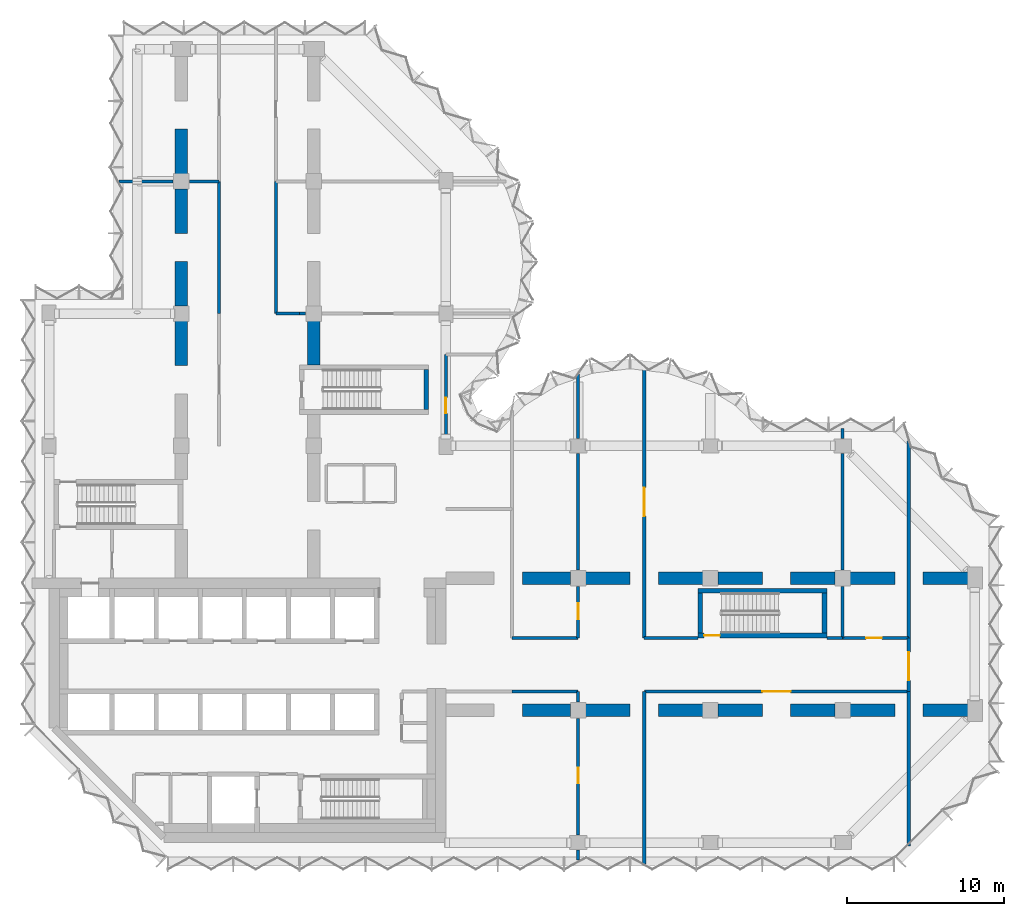
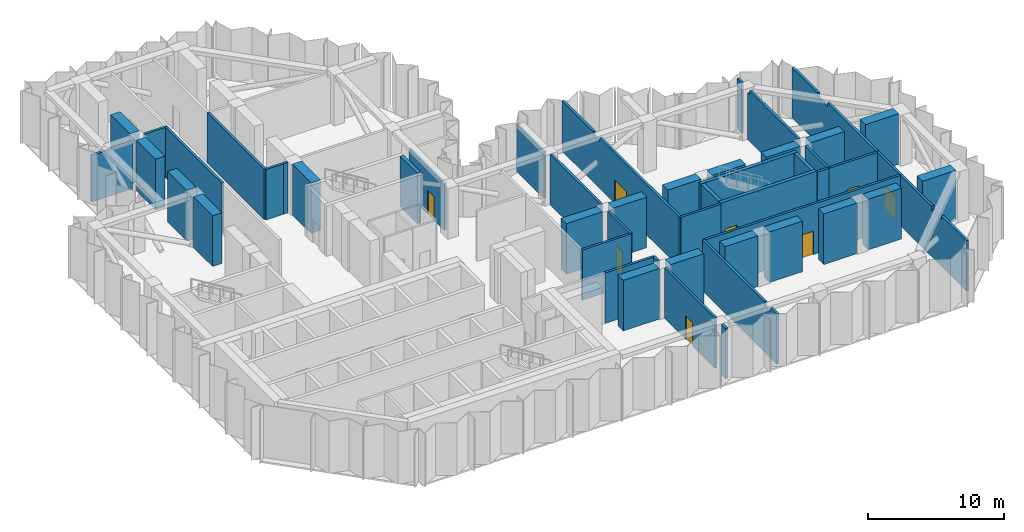
# One storey, part 6 of 13: 51 walls, 8 doors, 8 openings.
"""IFC4 building model written with IfcOpenShell, lengths in metres."""

from ifc_helpers import new_model, si_unit, direction, frame, frame_2d, origin, place, context, subcontext, project, spatial, polyline, rectangle, outline, extrude, material, layer, layer_set, type_object, element, fill, save


model = new_model("IFC4")

# Units and contexts
model_context = context("Model", 3, precision=1e-05, world=origin(), true_north=direction((0.0, 1.0)))
body_context = subcontext(model_context, "Body", "Model", "MODEL_VIEW")
ifc_project = project(units=[si_unit("LENGTHUNIT", "METRE"), si_unit("AREAUNIT", "SQUARE_METRE"), si_unit("VOLUMEUNIT", "CUBIC_METRE"), si_unit("PLANEANGLEUNIT", "RADIAN"), si_unit("MASSUNIT", "GRAM", prefix="KILO")], contexts=[model_context])

# Site, building, storey
site_placement = place(None, origin())
site = spatial("IfcSite", under=ifc_project, at=site_placement, CompositionType="ELEMENT")
building_placement = place(site_placement, origin())
building = spatial("IfcBuilding", under=site, at=building_placement, Name="Brevane Broadcast Tower", CompositionType="ELEMENT")
storey_placement = place(building_placement, frame((0.0, 0.0, 162.0)))
storey = spatial("IfcBuildingStorey", under=building, at=storey_placement, Name="L40", CompositionType="ELEMENT", Elevation=162.0)

# Wall
ifc_material_1 = material(Name="Concrete C60/75", Category="concrete")
ifc_layer_1 = layer(ifc_material_1, 0.300048828125)
ifc_layer_set_1 = layer_set([ifc_layer_1], Name="Core wall 300 mm C60/75")
wall_type_1 = type_object("IfcWallType", Name="Core wall 300 mm C60/75", PredefinedType="SHEAR", material=ifc_layer_set_1)
wall_1_placement = place(storey_placement, frame((23.949951171875, 27.5, 0.0), z_axis=(0.0, 0.0, 1.0), x_axis=(0.0, 1.0, 0.0)))
element("IfcWall", 1, at=wall_1_placement, inside=storey, type_object=wall_type_1, Name="L40 stair wall ST-3-E", PredefinedType="SHEAR", context=body_context, shape_type="SweptSolid", body=[
    extrude(rectangle(XDim=2.550048828125, YDim=0.300048828125, at=frame_2d((1.27490234375, 0.0))), origin(), (0.0, 0.0, 1.0), 4.550048828125),
])

# Wall, opening, door
wall_2_placement = place(storey_placement, frame((49.39990234375, 13.14990234375, 0.0), z_axis=(0.0, 0.0, 1.0), x_axis=(-1.0, 0.0, 0.0)))
wall_2 = element("IfcWall", 2, at=wall_2_placement, inside=storey, type_object=wall_type_1, Name="L40 stair wall ST-4-S", PredefinedType="SHEAR", context=body_context, shape_type="SweptSolid", body=[
    extrude(rectangle(XDim=8.199951171875, YDim=0.300048828125, at=frame_2d((4.10009765625, 0.0))), origin(), (0.0, 0.0, 1.0), 4.550048828125),
])
opening_1_placement = place(wall_2_placement, frame((6.800048828125, 0.0, 0.0)))
opening_1 = element("IfcOpeningElement", 3, at=opening_1_placement, cuts=wall_2, Name="Opening L40-K13", PredefinedType="OPENING", context=body_context, shape_type="SweptSolid", body=[
    extrude(rectangle(XDim=1.0, YDim=2.10009765625, at=frame_2d((0.5, 1.050048828125))), frame((0.0, 0.159912109375, 0.0), z_axis=(0.0, -1.0, 0.0), x_axis=(1.0, 0.0, 0.0)), (0.0, 0.0, 1.0), 0.320068359375),
])
ifc_material_2 = material(Name="Steel", Category="steel")
door_type_1 = type_object("IfcDoorType", Name="Stair door 1000 x 2100", OperationType="SINGLE_SWING_LEFT", PredefinedType="DOOR", material=ifc_material_2)
door_1_placement = place(opening_1_placement, origin())
door_1 = element("IfcDoor", 4, at=door_1_placement, inside=storey, type_object=door_type_1, Name="Door L40-K13", OperationType="SINGLE_SWING_LEFT", OverallHeight=2.10009765625, OverallWidth=1.0, PredefinedType="DOOR", context=body_context, shape_type="SweptSolid", body=[
    extrude(rectangle(XDim=1.0, YDim=2.10009765625, at=frame_2d((0.5, 1.050048828125))), frame((0.0, 0.02490234375, 0.0), z_axis=(0.0, -1.0, 0.0), x_axis=(1.0, 0.0, 0.0)), (0.0, 0.0, 1.0), 0.050048828125),
])
fill(opening_1, door_1)

# Walls
wall_3_placement = place(storey_placement, frame((41.199951171875, 16.0, 0.0), z_axis=(0.0, 0.0, 1.0), x_axis=(1.0, 0.0, 0.0)))
element("IfcWall", 5, at=wall_3_placement, inside=storey, type_object=wall_type_1, Name="L40 stair wall ST-4-N", PredefinedType="SHEAR", context=body_context, shape_type="SweptSolid", body=[
    extrude(rectangle(XDim=8.199951171875, YDim=0.300048828125, at=frame_2d((4.10009765625, 0.0))), origin(), (0.0, 0.0, 1.0), 4.550048828125),
])
for number, where, z_axis, x_axis, name in (
    (6, (41.35009765625, 13.300048828125, 0.0), (0.0, 0.0, 1.0), (0.0, 1.0, 0.0), "L40 stair wall ST-4-W"),
    (7, (49.25, 13.300048828125, 0.0), (0.0, 0.0, 1.0), (0.0, 1.0, 0.0), "L40 stair wall ST-4-E"),
):
    element("IfcWall", number, at=place(storey_placement, frame(where, z_axis=z_axis, x_axis=x_axis)), inside=storey, type_object=wall_type_1, Name=name, PredefinedType="SHEAR", context=body_context, shape_type="SweptSolid", body=[
        extrude(rectangle(XDim=2.550048828125, YDim=0.300048828125, at=frame_2d((1.27490234375, 0.0))), origin(), (0.0, 0.0, 1.0), 4.550048828125),
    ])

# Wall, opening, door
ifc_material_3 = material(Name="Gypsum board partition")
ifc_layer_2 = layer(ifc_material_3, 0.199951171875)
ifc_layer_set_2 = layer_set([ifc_layer_2], Name="PARTITION 200 EI 120")
wall_type_2 = type_object("IfcWallType", Name="PARTITION 200 EI 120", PredefinedType="PARTITIONING", material=ifc_layer_set_2)
wall_4_placement = place(storey_placement, frame((25.199951171875, 31.0, 0.0), z_axis=(0.0, 0.0, 1.0), x_axis=(0.0, -1.0, 0.0)))
wall_4 = element("IfcWall", 8, at=wall_4_placement, inside=storey, type_object=wall_type_2, Name="Partition R2-005", PredefinedType="PARTITIONING", context=body_context, shape_type="SweptSolid", body=[
    extrude(outline(polyline([(0.0, 0.0), (5.22998046875, 0.0), (5.22998046875, 4.179931640625), (0.0, 4.179931640625), (0.0, 0.0)])), frame((0.0, 0.10009765625, 0.0), z_axis=(0.0, -1.0, 0.0), x_axis=(1.0, 0.0, 0.0)), (0.0, 0.0, 1.0), 0.199951171875),
])
opening_2_placement = place(wall_4_placement, frame((2.72998046875, 0.0, 0.0)))
opening_2 = element("IfcOpeningElement", 9, at=opening_2_placement, cuts=wall_4, Name="Opening D20-001", PredefinedType="OPENING", context=body_context, shape_type="SweptSolid", body=[
    extrude(rectangle(XDim=1.0, YDim=2.10009765625, at=frame_2d((0.5, 1.050048828125))), frame((0.0, 0.10986328125, 0.0), z_axis=(0.0, -1.0, 0.0), x_axis=(1.0, 0.0, 0.0)), (0.0, 0.0, 1.0), 0.219970703125),
])
ifc_material_4 = material(Name="Fire-rated timber door leaf", Category="wood")
door_type_2 = type_object("IfcDoorType", Name="DOOR SINGLE 1000 FD60", OperationType="SINGLE_SWING_LEFT", PredefinedType="DOOR", material=ifc_material_4)
door_2_placement = place(opening_2_placement, origin())
door_2 = element("IfcDoor", 10, at=door_2_placement, inside=storey, type_object=door_type_2, Name="Door D20-001", OperationType="SINGLE_SWING_RIGHT", OverallHeight=2.10009765625, OverallWidth=1.0, PredefinedType="DOOR", context=body_context, shape_type="SweptSolid", body=[
    extrude(rectangle(XDim=1.0, YDim=2.10009765625, at=frame_2d((0.5, 1.050048828125))), frame((0.0, 0.02490234375, 0.0), z_axis=(0.0, -1.0, 0.0), x_axis=(1.0, 0.0, 0.0)), (0.0, 0.0, 1.0), 0.050048828125),
])
fill(opening_2, door_2)

wall_5_placement = place(storey_placement, frame((54.60009765625, 13.0, 0.0), z_axis=(0.0, 0.0, 1.0), x_axis=(0.0, -1.0, 0.0)))
wall_5 = element("IfcWall", 11, at=wall_5_placement, inside=storey, type_object=wall_type_2, Name="Partition R2-007", PredefinedType="PARTITIONING", context=body_context, shape_type="SweptSolid", body=[
    extrude(rectangle(XDim=3.39990234375, YDim=0.199951171875, at=frame_2d((1.699951171875, 0.0))), origin(), (0.0, 0.0, 1.0), 4.530029296875),
])
opening_3_placement = place(wall_5_placement, frame((0.89990234375, 0.0, 0.0)))
opening_3 = element("IfcOpeningElement", 12, at=opening_3_placement, cuts=wall_5, Name="Opening D20-002", PredefinedType="OPENING", context=body_context, shape_type="SweptSolid", body=[
    extrude(rectangle(XDim=1.800048828125, YDim=2.10009765625, at=frame_2d((0.89990234375, 1.050048828125))), frame((0.0, 0.10986328125, 0.0), z_axis=(0.0, -1.0, 0.0), x_axis=(1.0, 0.0, 0.0)), (0.0, 0.0, 1.0), 0.219970703125),
])
door_type_3 = type_object("IfcDoorType", Name="DOOR DOUBLE 1800 FD60", OperationType="DOUBLE_DOOR_SINGLE_SWING", PredefinedType="DOOR", material=ifc_material_4)
door_3_placement = place(opening_3_placement, origin())
door_3 = element("IfcDoor", 13, at=door_3_placement, inside=storey, type_object=door_type_3, Name="Door D20-002", OperationType="DOUBLE_DOOR_SINGLE_SWING", OverallHeight=2.10009765625, OverallWidth=1.800048828125, PredefinedType="DOOR", context=body_context, shape_type="SweptSolid", body=[
    extrude(rectangle(XDim=1.800048828125, YDim=2.10009765625, at=frame_2d((0.89990234375, 1.050048828125))), frame((0.0, 0.02490234375, 0.0), z_axis=(0.0, -1.0, 0.0), x_axis=(1.0, 0.0, 0.0)), (0.0, 0.0, 1.0), 0.050048828125),
])
fill(opening_3, door_3)

# Wall
wall_6_placement = place(storey_placement, frame((33.60009765625, 9.60009765625, 0.0), z_axis=(0.0, 0.0, 1.0), x_axis=(-1.0, 0.0, 0.0)))
element("IfcWall", 14, at=wall_6_placement, inside=storey, type_object=wall_type_2, Name="Partition R2-008", PredefinedType="PARTITIONING", context=body_context, shape_type="SweptSolid", body=[
    extrude(rectangle(XDim=4.2001953125, YDim=0.199951171875, at=frame_2d((2.10009765625, 0.0))), origin(), (0.0, 0.0, 1.0), 4.530029296875),
])

# Wall, opening, door
wall_7_placement = place(storey_placement, frame((54.60009765625, 9.60009765625, 0.0), z_axis=(0.0, 0.0, 1.0), x_axis=(-1.0, 0.0, 0.0)))
wall_7 = element("IfcWall", 15, at=wall_7_placement, inside=storey, type_object=wall_type_2, Name="Partition R2-009", PredefinedType="PARTITIONING", context=body_context, shape_type="SweptSolid", body=[
    extrude(rectangle(XDim=16.800048828125, YDim=0.199951171875, at=frame_2d((8.39990234375, 0.0))), origin(), (0.0, 0.0, 1.0), 4.530029296875),
])
opening_4_placement = place(wall_7_placement, frame((7.5, 0.0, 0.0)))
opening_4 = element("IfcOpeningElement", 16, at=opening_4_placement, cuts=wall_7, Name="Opening D20-004", PredefinedType="OPENING", context=body_context, shape_type="SweptSolid", body=[
    extrude(rectangle(XDim=1.800048828125, YDim=2.10009765625, at=frame_2d((0.89990234375, 1.050048828125))), frame((0.0, 0.10986328125, 0.0), z_axis=(0.0, -1.0, 0.0), x_axis=(1.0, 0.0, 0.0)), (0.0, 0.0, 1.0), 0.219970703125),
])
door_4_placement = place(opening_4_placement, origin())
door_4 = element("IfcDoor", 17, at=door_4_placement, inside=storey, type_object=door_type_3, Name="Door D20-004", OperationType="DOUBLE_DOOR_SINGLE_SWING", OverallHeight=2.10009765625, OverallWidth=1.800048828125, PredefinedType="DOOR", context=body_context, shape_type="SweptSolid", body=[
    extrude(rectangle(XDim=1.800048828125, YDim=2.10009765625, at=frame_2d((0.89990234375, 1.050048828125))), frame((0.0, 0.02490234375, 0.0), z_axis=(0.0, -1.0, 0.0), x_axis=(1.0, 0.0, 0.0)), (0.0, 0.0, 1.0), 0.050048828125),
])
fill(opening_4, door_4)

# Walls
wall_8_placement = place(storey_placement, frame((29.39990234375, 13.0, 0.0), z_axis=(0.0, 0.0, 1.0), x_axis=(1.0, 0.0, 0.0)))
element("IfcWall", 18, at=wall_8_placement, inside=storey, type_object=wall_type_2, Name="Partition R2-010", PredefinedType="PARTITIONING", context=body_context, shape_type="SweptSolid", body=[
    extrude(rectangle(XDim=4.2001953125, YDim=0.199951171875, at=frame_2d((2.10009765625, 0.0))), origin(), (0.0, 0.0, 1.0), 4.530029296875),
])
wall_9_placement = place(storey_placement, frame((37.800048828125, 13.0, 0.0), z_axis=(0.0, 0.0, 1.0), x_axis=(1.0, 0.0, 0.0)))
element("IfcWall", 19, at=wall_9_placement, inside=storey, type_object=wall_type_2, Name="Partition R2-011", PredefinedType="PARTITIONING", context=body_context, shape_type="SweptSolid", body=[
    extrude(rectangle(XDim=3.39990234375, YDim=0.199951171875, at=frame_2d((1.699951171875, 0.0))), origin(), (0.0, 0.0, 1.0), 4.530029296875),
])
wall_10_placement = place(storey_placement, frame((49.39990234375, 13.0, 0.0), z_axis=(0.0, 0.0, 1.0), x_axis=(1.0, 0.0, 0.0)))
element("IfcWall", 20, at=wall_10_placement, inside=storey, type_object=wall_type_2, Name="Partition R2-012", PredefinedType="PARTITIONING", context=body_context, shape_type="SweptSolid", body=[
    extrude(rectangle(XDim=1.0, YDim=0.199951171875, at=frame_2d((0.5, 0.0))), origin(), (0.0, 0.0, 1.0), 4.530029296875),
])

# Wall, opening, door
wall_11_placement = place(storey_placement, frame((50.39990234375, 13.0, 0.0), z_axis=(0.0, 0.0, 1.0), x_axis=(1.0, 0.0, 0.0)))
wall_11 = element("IfcWall", 21, at=wall_11_placement, inside=storey, type_object=wall_type_2, Name="Partition R2-013", PredefinedType="PARTITIONING", context=body_context, shape_type="SweptSolid", body=[
    extrude(rectangle(XDim=4.2001953125, YDim=0.199951171875, at=frame_2d((2.10009765625, 0.0))), origin(), (0.0, 0.0, 1.0), 4.530029296875),
])
opening_5_placement = place(wall_11_placement, frame((1.5, 0.0, 0.0)))
opening_5 = element("IfcOpeningElement", 22, at=opening_5_placement, cuts=wall_11, Name="Opening D20-007", PredefinedType="OPENING", context=body_context, shape_type="SweptSolid", body=[
    extrude(rectangle(XDim=1.0, YDim=2.10009765625, at=frame_2d((0.5, 1.050048828125))), frame((0.0, 0.10986328125, 0.0), z_axis=(0.0, -1.0, 0.0), x_axis=(1.0, 0.0, 0.0)), (0.0, 0.0, 1.0), 0.219970703125),
])
door_5_placement = place(opening_5_placement, origin())
door_5 = element("IfcDoor", 23, at=door_5_placement, inside=storey, type_object=door_type_2, Name="Door D20-007", OperationType="SINGLE_SWING_LEFT", OverallHeight=2.10009765625, OverallWidth=1.0, PredefinedType="DOOR", context=body_context, shape_type="SweptSolid", body=[
    extrude(rectangle(XDim=1.0, YDim=2.10009765625, at=frame_2d((0.5, 1.050048828125))), frame((0.0, 0.02490234375, 0.0), z_axis=(0.0, -1.0, 0.0), x_axis=(1.0, 0.0, 0.0)), (0.0, 0.0, 1.0), 0.050048828125),
])
fill(opening_5, door_5)

# Walls
wall_12_placement = place(storey_placement, frame((54.60009765625, -0.199951171875, 0.0), z_axis=(0.0, 0.0, 1.0), x_axis=(0.0, 1.0, 0.0)))
element("IfcWall", 24, at=wall_12_placement, inside=storey, type_object=wall_type_2, Name="Partition R2-014", PredefinedType="PARTITIONING", context=body_context, shape_type="SweptSolid", body=[
    extrude(outline(polyline([(0.0, 0.0), (9.800048828125, 0.0), (9.800048828125, 4.530029296875), (5.11572265625, 4.530029296875), (5.11376953125, 4.179931640625), (3.686279296875, 4.179931640625), (3.684326171875, 4.530029296875), (0.0, 4.530029296875), (0.0, 0.0)])), frame((0.0, 0.10009765625, 0.0), z_axis=(0.0, -1.0, 0.0), x_axis=(1.0, 0.0, 0.0)), (0.0, 0.0, 1.0), 0.199951171875),
])
wall_13_placement = place(storey_placement, frame((54.60009765625, 13.0, 0.0), z_axis=(0.0, 0.0, 1.0), x_axis=(0.0, 1.0, 0.0)))
element("IfcWall", 25, at=wall_13_placement, inside=storey, type_object=wall_type_2, Name="Partition R2-015", PredefinedType="PARTITIONING", context=body_context, shape_type="SweptSolid", body=[
    extrude(outline(polyline([(0.0, 0.0), (12.506591796875, 0.0), (12.506591796875, 4.530029296875), (12.39990234375, 4.530029296875), (8.715576171875, 4.530029296875), (8.713623046875, 4.179931640625), (7.286376953125, 4.179931640625), (7.284423828125, 4.530029296875), (0.0, 4.530029296875), (0.0, 0.0)])), frame((0.0, 0.10009765625, 0.0), z_axis=(0.0, -1.0, 0.0), x_axis=(1.0, 0.0, 0.0)), (0.0, 0.0, 1.0), 0.199951171875),
])
wall_14_placement = place(storey_placement, frame((33.60009765625, -1.10009765625, 0.0), z_axis=(0.0, 0.0, 1.0), x_axis=(0.0, 1.0, 0.0)))
element("IfcWall", 26, at=wall_14_placement, inside=storey, type_object=wall_type_2, Name="Partition R2-016", PredefinedType="PARTITIONING", context=body_context, shape_type="SweptSolid", body=[
    extrude(rectangle(XDim=0.630126953125, YDim=0.199951171875, at=frame_2d((0.31494140625, 0.0))), origin(), (0.0, 0.0, 1.0), 4.530029296875),
])

# Wall, opening, door
wall_15_placement = place(storey_placement, frame((33.60009765625, 0.469970703125, 0.0), z_axis=(0.0, 0.0, 1.0), x_axis=(0.0, 1.0, 0.0)))
wall_15 = element("IfcWall", 27, at=wall_15_placement, inside=storey, type_object=wall_type_2, Name="Partition R2-017", PredefinedType="PARTITIONING", context=body_context, shape_type="SweptSolid", body=[
    extrude(rectangle(XDim=7.409912109375, YDim=0.199951171875, at=frame_2d((3.705078125, 0.0))), origin(), (0.0, 0.0, 1.0), 4.530029296875),
])
opening_6_placement = place(wall_15_placement, frame((3.300048828125, 0.0, 0.0)))
opening_6 = element("IfcOpeningElement", 28, at=opening_6_placement, cuts=wall_15, Name="Opening D20-003", PredefinedType="OPENING", context=body_context, shape_type="SweptSolid", body=[
    extrude(rectangle(XDim=1.0, YDim=2.10009765625, at=frame_2d((0.5, 1.050048828125))), frame((0.0, 0.10986328125, 0.0), z_axis=(0.0, -1.0, 0.0), x_axis=(1.0, 0.0, 0.0)), (0.0, 0.0, 1.0), 0.219970703125),
])
door_6_placement = place(opening_6_placement, origin())
door_6 = element("IfcDoor", 29, at=door_6_placement, inside=storey, type_object=door_type_2, Name="Door D20-003", OperationType="SINGLE_SWING_LEFT", OverallHeight=2.10009765625, OverallWidth=1.0, PredefinedType="DOOR", context=body_context, shape_type="SweptSolid", body=[
    extrude(rectangle(XDim=1.0, YDim=2.10009765625, at=frame_2d((0.5, 1.050048828125))), frame((0.0, 0.02490234375, 0.0), z_axis=(0.0, -1.0, 0.0), x_axis=(1.0, 0.0, 0.0)), (0.0, 0.0, 1.0), 0.050048828125),
])
fill(opening_6, door_6)

# Walls
wall_16_placement = place(storey_placement, frame((33.60009765625, 8.919921875, 0.0), z_axis=(0.0, 0.0, 1.0), x_axis=(0.0, 1.0, 0.0)))
element("IfcWall", 30, at=wall_16_placement, inside=storey, type_object=wall_type_2, Name="Partition R2-018", PredefinedType="PARTITIONING", context=body_context, shape_type="SweptSolid", body=[
    extrude(rectangle(XDim=0.68017578125, YDim=0.199951171875, at=frame_2d((0.340087890625, 0.0))), origin(), (0.0, 0.0, 1.0), 4.530029296875),
])
wall_17_placement = place(storey_placement, frame((37.800048828125, 9.60009765625, 0.0), z_axis=(0.0, 0.0, 1.0), x_axis=(0.0, -1.0, 0.0)))
element("IfcWall", 31, at=wall_17_placement, inside=storey, type_object=wall_type_2, Name="Partition R2-019", PredefinedType="PARTITIONING", context=body_context, shape_type="SweptSolid", body=[
    extrude(outline(polyline([(0.0, 0.0), (10.96337890625, 0.0), (10.96337890625, 4.530029296875), (10.699951171875, 4.530029296875), (10.050048828125, 4.530029296875), (10.048095703125, 4.179931640625), (9.152099609375, 4.179931640625), (9.14990234375, 4.530029296875), (0.0, 4.530029296875), (0.0, 0.0)])), frame((0.0, 0.10009765625, 0.0), z_axis=(0.0, -1.0, 0.0), x_axis=(1.0, 0.0, 0.0)), (0.0, 0.0, 1.0), 0.199951171875),
])

# Wall, opening, door
wall_18_placement = place(storey_placement, frame((33.60009765625, 13.0, 0.0), z_axis=(0.0, 0.0, 1.0), x_axis=(0.0, 1.0, 0.0)))
wall_18 = element("IfcWall", 32, at=wall_18_placement, inside=storey, type_object=wall_type_2, Name="Partition R2-020", PredefinedType="PARTITIONING", context=body_context, shape_type="SweptSolid", body=[
    extrude(rectangle(XDim=3.280029296875, YDim=0.199951171875, at=frame_2d((1.64013671875, 0.0))), origin(), (0.0, 0.0, 1.0), 4.530029296875),
])
opening_7_placement = place(wall_18_placement, frame((1.199951171875, 0.0, 0.0)))
opening_7 = element("IfcOpeningElement", 33, at=opening_7_placement, cuts=wall_18, Name="Opening D20-005", PredefinedType="OPENING", context=body_context, shape_type="SweptSolid", body=[
    extrude(rectangle(XDim=1.0, YDim=2.10009765625, at=frame_2d((0.5, 1.050048828125))), frame((0.0, 0.10986328125, 0.0), z_axis=(0.0, -1.0, 0.0), x_axis=(1.0, 0.0, 0.0)), (0.0, 0.0, 1.0), 0.219970703125),
])
door_7_placement = place(opening_7_placement, origin())
door_7 = element("IfcDoor", 34, at=door_7_placement, inside=storey, type_object=door_type_2, Name="Door D20-005", OperationType="SINGLE_SWING_LEFT", OverallHeight=2.10009765625, OverallWidth=1.0, PredefinedType="DOOR", context=body_context, shape_type="SweptSolid", body=[
    extrude(rectangle(XDim=1.0, YDim=2.10009765625, at=frame_2d((0.5, 1.050048828125))), frame((0.0, 0.02490234375, 0.0), z_axis=(0.0, -1.0, 0.0), x_axis=(1.0, 0.0, 0.0)), (0.0, 0.0, 1.0), 0.050048828125),
])
fill(opening_7, door_7)

# Walls
wall_19_placement = place(storey_placement, frame((33.60009765625, 17.320068359375, 0.0), z_axis=(0.0, 0.0, 1.0), x_axis=(0.0, 1.0, 0.0)))
element("IfcWall", 35, at=wall_19_placement, inside=storey, type_object=wall_type_2, Name="Partition R2-021", PredefinedType="PARTITIONING", context=body_context, shape_type="SweptSolid", body=[
    extrude(rectangle(XDim=7.409912109375, YDim=0.199951171875, at=frame_2d((3.705078125, 0.0))), origin(), (0.0, 0.0, 1.0), 4.530029296875),
])
wall_20_placement = place(storey_placement, frame((33.60009765625, 25.669921875, 0.0), z_axis=(0.0, 0.0, 1.0), x_axis=(0.0, 1.0, 0.0)))
element("IfcWall", 36, at=wall_20_placement, inside=storey, type_object=wall_type_2, Name="Partition R2-022", PredefinedType="PARTITIONING", context=body_context, shape_type="SweptSolid", body=[
    extrude(rectangle(XDim=4.092041015625, YDim=0.199951171875, at=frame_2d((2.0458984375, 0.0))), origin(), (0.0, 0.0, 1.0), 4.179931640625),
])

# Wall, opening, door
wall_21_placement = place(storey_placement, frame((37.800048828125, 30.24267578125, 0.0), z_axis=(0.0, 0.0, 1.0), x_axis=(0.0, -1.0, 0.0)))
wall_21 = element("IfcWall", 37, at=wall_21_placement, inside=storey, type_object=wall_type_2, Name="Partition R2-023", PredefinedType="PARTITIONING", context=body_context, shape_type="SweptSolid", body=[
    extrude(outline(polyline([(0.0, 0.0), (17.24267578125, 0.0), (17.24267578125, 4.530029296875), (5.49267578125, 4.530029296875), (5.49072265625, 4.179931640625), (4.5947265625, 4.179931640625), (4.5927734375, 4.530029296875), (0.0, 4.530029296875), (0.0, 0.0)])), frame((0.0, 0.10009765625, 0.0), z_axis=(0.0, -1.0, 0.0), x_axis=(1.0, 0.0, 0.0)), (0.0, 0.0, 1.0), 0.199951171875),
])
opening_8_placement = place(wall_21_placement, frame((7.699951171875, 0.0, 0.0)))
opening_8 = element("IfcOpeningElement", 38, at=opening_8_placement, cuts=wall_21, Name="Opening D20-006", PredefinedType="OPENING", context=body_context, shape_type="SweptSolid", body=[
    extrude(rectangle(XDim=1.800048828125, YDim=2.10009765625, at=frame_2d((0.89990234375, 1.050048828125))), frame((0.0, 0.10986328125, 0.0), z_axis=(0.0, -1.0, 0.0), x_axis=(1.0, 0.0, 0.0)), (0.0, 0.0, 1.0), 0.219970703125),
])
door_8_placement = place(opening_8_placement, origin())
door_8 = element("IfcDoor", 39, at=door_8_placement, inside=storey, type_object=door_type_3, Name="Door D20-006", OperationType="DOUBLE_DOOR_SINGLE_SWING", OverallHeight=2.10009765625, OverallWidth=1.800048828125, PredefinedType="DOOR", context=body_context, shape_type="SweptSolid", body=[
    extrude(rectangle(XDim=1.800048828125, YDim=2.10009765625, at=frame_2d((0.89990234375, 1.050048828125))), frame((0.0, 0.02490234375, 0.0), z_axis=(0.0, -1.0, 0.0), x_axis=(1.0, 0.0, 0.0)), (0.0, 0.0, 1.0), 0.050048828125),
])
fill(opening_8, door_8)

# Walls
wall_22_placement = place(storey_placement, frame((50.39990234375, 26.300048828125, 0.0), z_axis=(0.0, 0.0, 1.0), x_axis=(0.0, -1.0, 0.0)))
element("IfcWall", 40, at=wall_22_placement, inside=storey, type_object=wall_type_2, Name="Partition R2-024", PredefinedType="PARTITIONING", context=body_context, shape_type="SweptSolid", body=[
    extrude(rectangle(XDim=0.630126953125, YDim=0.199951171875, at=frame_2d((0.31494140625, 0.0))), origin(), (0.0, 0.0, 1.0), 4.530029296875),
])
wall_23_placement = place(storey_placement, frame((50.39990234375, 24.72998046875, 0.0), z_axis=(0.0, 0.0, 1.0), x_axis=(0.0, -1.0, 0.0)))
element("IfcWall", 41, at=wall_23_placement, inside=storey, type_object=wall_type_2, Name="Partition R2-025", PredefinedType="PARTITIONING", context=body_context, shape_type="SweptSolid", body=[
    extrude(outline(polyline([(0.0, 0.0), (7.409912109375, 0.0), (7.409912109375, 4.530029296875), (0.24560546875, 4.530029296875), (0.24365234375, 4.179931640625), (0.0, 4.179931640625), (0.0, 0.0)])), frame((0.0, 0.10009765625, 0.0), z_axis=(0.0, -1.0, 0.0), x_axis=(1.0, 0.0, 0.0)), (0.0, 0.0, 1.0), 0.199951171875),
])
wall_24_placement = place(storey_placement, frame((50.39990234375, 16.280029296875, 0.0), z_axis=(0.0, 0.0, 1.0), x_axis=(0.0, -1.0, 0.0)))
element("IfcWall", 42, at=wall_24_placement, inside=storey, type_object=wall_type_2, Name="Partition R2-026", PredefinedType="PARTITIONING", context=body_context, shape_type="SweptSolid", body=[
    extrude(rectangle(XDim=3.280029296875, YDim=0.199951171875, at=frame_2d((1.64013671875, 0.0))), origin(), (0.0, 0.0, 1.0), 4.530029296875),
])
wall_25_placement = place(storey_placement, frame((14.39990234375, 33.60009765625, 0.0), z_axis=(0.0, 0.0, 1.0), x_axis=(1.0, 0.0, 0.0)))
element("IfcWall", 43, at=wall_25_placement, inside=storey, type_object=wall_type_2, Name="Partition R2-028", PredefinedType="PARTITIONING", context=body_context, shape_type="SweptSolid", body=[
    extrude(rectangle(XDim=1.5, YDim=0.199951171875, at=frame_2d((0.75, 0.0))), origin(), (0.0, 0.0, 1.0), 4.530029296875),
])
wall_26_placement = place(storey_placement, frame((15.89990234375, 33.60009765625, 0.0), z_axis=(0.0, 0.0, 1.0), x_axis=(1.0, 0.0, 0.0)))
element("IfcWall", 44, at=wall_26_placement, inside=storey, type_object=wall_type_2, Name="Partition R2-029", PredefinedType="PARTITIONING", context=body_context, shape_type="SweptSolid", body=[
    extrude(rectangle(XDim=0.380126953125, YDim=0.199951171875, at=frame_2d((0.18994140625, 0.0))), origin(), (0.0, 0.0, 1.0), 4.530029296875),
])
for number, where, z_axis, x_axis, name in (
    (45, (10.800048828125, 33.60009765625, 0.0), (0.0, 0.0, 1.0), (0.0, 1.0, 0.0), "Partition R2-032"),
    (46, (14.39990234375, 42.0, 0.0), (0.0, 0.0, 1.0), (0.0, -1.0, 0.0), "Partition R2-034"),
):
    element("IfcWall", number, at=place(storey_placement, frame(where, z_axis=z_axis, x_axis=x_axis)), inside=storey, type_object=wall_type_2, Name=name, PredefinedType="PARTITIONING", context=body_context, shape_type="SweptSolid", body=[
        extrude(rectangle(XDim=8.39990234375, YDim=0.199951171875, at=frame_2d((4.199951171875, 0.0))), origin(), (0.0, 0.0, 1.0), 4.530029296875),
    ])
wall_27_placement = place(storey_placement, frame((4.424560546875, 42.0, 0.0), z_axis=(0.0, 0.0, 1.0), x_axis=(1.0, 0.0, 0.0)))
element("IfcWall", 47, at=wall_27_placement, inside=storey, type_object=wall_type_2, Name="Partition R2-036", PredefinedType="PARTITIONING", context=body_context, shape_type="SweptSolid", body=[
    extrude(rectangle(XDim=3.455322265625, YDim=0.199951171875, at=frame_2d((1.7275390625, 0.0))), origin(), (0.0, 0.0, 1.0), 4.179931640625),
])
wall_28_placement = place(storey_placement, frame((8.919921875, 42.0, 0.0), z_axis=(0.0, 0.0, 1.0), x_axis=(1.0, 0.0, 0.0)))
element("IfcWall", 48, at=wall_28_placement, inside=storey, type_object=wall_type_2, Name="Partition R2-037", PredefinedType="PARTITIONING", context=body_context, shape_type="SweptSolid", body=[
    extrude(rectangle(XDim=1.880126953125, YDim=0.199951171875, at=frame_2d((0.93994140625, 0.0))), origin(), (0.0, 0.0, 1.0), 4.530029296875),
])
ifc_layer_3 = layer(ifc_material_1, 0.800048828125)
ifc_layer_set_3 = layer_set([ifc_layer_3], Name="RC OUTRIGGER WALL 800 C60/75")
wall_type_3 = type_object("IfcWallType", Name="RC OUTRIGGER WALL 800 C60/75", PredefinedType="SHEAR", material=ifc_layer_set_3)
wall_29_placement = place(storey_placement, frame((30.06494140625, 8.39990234375, 0.0), z_axis=(0.0, 0.0, 1.0), x_axis=(1.0, 0.0, 0.0)))
element("IfcWall", 49, at=wall_29_placement, inside=storey, type_object=wall_type_3, Name="OR1 L40-2", PredefinedType="SHEAR", context=body_context, shape_type="SweptSolid", body=[
    extrude(rectangle(XDim=3.06494140625, YDim=0.800048828125, at=frame_2d((1.532470703125, 0.0))), origin(), (0.0, 0.0, 1.0), 4.550048828125),
])
wall_30_placement = place(storey_placement, frame((34.070068359375, 8.39990234375, 0.0), z_axis=(0.0, 0.0, 1.0), x_axis=(1.0, 0.0, 0.0)))
element("IfcWall", 50, at=wall_30_placement, inside=storey, type_object=wall_type_3, Name="OR1 L40-3", PredefinedType="SHEAR", context=body_context, shape_type="SweptSolid", body=[
    extrude(rectangle(XDim=2.829833984375, YDim=0.800048828125, at=frame_2d((1.4150390625, 0.0))), origin(), (0.0, 0.0, 1.0), 4.550048828125),
])
for number, where, z_axis, x_axis, name in (
    (51, (38.699951171875, 8.39990234375, 0.0), (0.0, 0.0, 1.0), (1.0, 0.0, 0.0), "OR1 L40-4"),
    (52, (42.469970703125, 8.39990234375, 0.0), (0.0, 0.0, 1.0), (1.0, 0.0, 0.0), "OR1 L40-5"),
):
    element("IfcWall", number, at=place(storey_placement, frame(where, z_axis=z_axis, x_axis=x_axis)), inside=storey, type_object=wall_type_3, Name=name, PredefinedType="SHEAR", context=body_context, shape_type="SweptSolid", body=[
        extrude(rectangle(XDim=2.830078125, YDim=0.800048828125, at=frame_2d((1.4150390625, 0.0))), origin(), (0.0, 0.0, 1.0), 4.550048828125),
    ])
wall_31_placement = place(storey_placement, frame((47.10009765625, 8.39990234375, 0.0), z_axis=(0.0, 0.0, 1.0), x_axis=(1.0, 0.0, 0.0)))
element("IfcWall", 53, at=wall_31_placement, inside=storey, type_object=wall_type_3, Name="OR1 L40-6", PredefinedType="SHEAR", context=body_context, shape_type="SweptSolid", body=[
    extrude(rectangle(XDim=2.829833984375, YDim=0.800048828125, at=frame_2d((1.4150390625, 0.0))), origin(), (0.0, 0.0, 1.0), 4.550048828125),
])
wall_32_placement = place(storey_placement, frame((50.8701171875, 8.39990234375, 0.0), z_axis=(0.0, 0.0, 1.0), x_axis=(1.0, 0.0, 0.0)))
element("IfcWall", 54, at=wall_32_placement, inside=storey, type_object=wall_type_3, Name="OR1 L40-7", PredefinedType="SHEAR", context=body_context, shape_type="SweptSolid", body=[
    extrude(rectangle(XDim=2.84228515625, YDim=0.800048828125, at=frame_2d((1.421142578125, 0.0))), origin(), (0.0, 0.0, 1.0), 4.550048828125),
])
wall_33_placement = place(storey_placement, frame((55.512451171875, 8.39990234375, 0.0), z_axis=(0.0, 0.0, 1.0), x_axis=(1.0, 0.0, 0.0)))
element("IfcWall", 55, at=wall_33_placement, inside=storey, type_object=wall_type_3, Name="OR1 L40-8", PredefinedType="SHEAR", context=body_context, shape_type="SweptSolid", body=[
    extrude(rectangle(XDim=2.842529296875, YDim=0.800048828125, at=frame_2d((1.42138671875, 0.0))), origin(), (0.0, 0.0, 1.0), 4.550048828125),
])
wall_34_placement = place(storey_placement, frame((30.06494140625, 16.800048828125, 0.0), z_axis=(0.0, 0.0, 1.0), x_axis=(1.0, 0.0, 0.0)))
element("IfcWall", 56, at=wall_34_placement, inside=storey, type_object=wall_type_3, Name="OR1 L40-10", PredefinedType="SHEAR", context=body_context, shape_type="SweptSolid", body=[
    extrude(rectangle(XDim=3.06494140625, YDim=0.800048828125, at=frame_2d((1.532470703125, 0.0))), origin(), (0.0, 0.0, 1.0), 4.550048828125),
])
wall_35_placement = place(storey_placement, frame((34.070068359375, 16.800048828125, 0.0), z_axis=(0.0, 0.0, 1.0), x_axis=(1.0, 0.0, 0.0)))
element("IfcWall", 57, at=wall_35_placement, inside=storey, type_object=wall_type_3, Name="OR1 L40-11", PredefinedType="SHEAR", context=body_context, shape_type="SweptSolid", body=[
    extrude(rectangle(XDim=2.829833984375, YDim=0.800048828125, at=frame_2d((1.4150390625, 0.0))), origin(), (0.0, 0.0, 1.0), 4.550048828125),
])
for number, where, z_axis, x_axis, name in (
    (58, (38.699951171875, 16.800048828125, 0.0), (0.0, 0.0, 1.0), (1.0, 0.0, 0.0), "OR1 L40-12"),
    (59, (42.469970703125, 16.800048828125, 0.0), (0.0, 0.0, 1.0), (1.0, 0.0, 0.0), "OR1 L40-13"),
):
    element("IfcWall", number, at=place(storey_placement, frame(where, z_axis=z_axis, x_axis=x_axis)), inside=storey, type_object=wall_type_3, Name=name, PredefinedType="SHEAR", context=body_context, shape_type="SweptSolid", body=[
        extrude(rectangle(XDim=2.830078125, YDim=0.800048828125, at=frame_2d((1.4150390625, 0.0))), origin(), (0.0, 0.0, 1.0), 4.550048828125),
    ])
wall_36_placement = place(storey_placement, frame((47.10009765625, 16.800048828125, 0.0), z_axis=(0.0, 0.0, 1.0), x_axis=(1.0, 0.0, 0.0)))
element("IfcWall", 60, at=wall_36_placement, inside=storey, type_object=wall_type_3, Name="OR1 L40-14", PredefinedType="SHEAR", context=body_context, shape_type="SweptSolid", body=[
    extrude(rectangle(XDim=2.829833984375, YDim=0.800048828125, at=frame_2d((1.4150390625, 0.0))), origin(), (0.0, 0.0, 1.0), 4.550048828125),
])
wall_37_placement = place(storey_placement, frame((50.8701171875, 16.800048828125, 0.0), z_axis=(0.0, 0.0, 1.0), x_axis=(1.0, 0.0, 0.0)))
element("IfcWall", 61, at=wall_37_placement, inside=storey, type_object=wall_type_3, Name="OR1 L40-15", PredefinedType="SHEAR", context=body_context, shape_type="SweptSolid", body=[
    extrude(rectangle(XDim=2.84228515625, YDim=0.800048828125, at=frame_2d((1.421142578125, 0.0))), origin(), (0.0, 0.0, 1.0), 4.550048828125),
])
wall_38_placement = place(storey_placement, frame((55.512451171875, 16.800048828125, 0.0), z_axis=(0.0, 0.0, 1.0), x_axis=(1.0, 0.0, 0.0)))
element("IfcWall", 62, at=wall_38_placement, inside=storey, type_object=wall_type_3, Name="OR1 L40-16", PredefinedType="SHEAR", context=body_context, shape_type="SweptSolid", body=[
    extrude(rectangle(XDim=2.842529296875, YDim=0.800048828125, at=frame_2d((1.42138671875, 0.0))), origin(), (0.0, 0.0, 1.0), 4.550048828125),
])
for number, where, z_axis, x_axis, name in (
    (63, (8.39990234375, 30.300048828125, 0.0), (0.0, 0.0, 1.0), (0.0, 1.0, 0.0), "OR1 L40-20"),
    (64, (8.39990234375, 34.070068359375, 0.0), (0.0, 0.0, 1.0), (0.0, 1.0, 0.0), "OR1 L40-21"),
):
    element("IfcWall", number, at=place(storey_placement, frame(where, z_axis=z_axis, x_axis=x_axis)), inside=storey, type_object=wall_type_3, Name=name, PredefinedType="SHEAR", context=body_context, shape_type="SweptSolid", body=[
        extrude(rectangle(XDim=2.829833984375, YDim=0.800048828125, at=frame_2d((1.4150390625, 0.0))), origin(), (0.0, 0.0, 1.0), 4.550048828125),
    ])
wall_39_placement = place(storey_placement, frame((8.39990234375, 38.699951171875, 0.0), z_axis=(0.0, 0.0, 1.0), x_axis=(0.0, 1.0, 0.0)))
element("IfcWall", 65, at=wall_39_placement, inside=storey, type_object=wall_type_3, Name="OR1 L40-22", PredefinedType="SHEAR", context=body_context, shape_type="SweptSolid", body=[
    extrude(rectangle(XDim=2.830078125, YDim=0.800048828125, at=frame_2d((1.4150390625, 0.0))), origin(), (0.0, 0.0, 1.0), 4.550048828125),
])
wall_40_placement = place(storey_placement, frame((8.39990234375, 42.469970703125, 0.0), z_axis=(0.0, 0.0, 1.0), x_axis=(0.0, 1.0, 0.0)))
element("IfcWall", 66, at=wall_40_placement, inside=storey, type_object=wall_type_3, Name="OR1 L40-23", PredefinedType="SHEAR", context=body_context, shape_type="SweptSolid", body=[
    extrude(rectangle(XDim=2.842529296875, YDim=0.800048828125, at=frame_2d((1.42138671875, 0.0))), origin(), (0.0, 0.0, 1.0), 4.550048828125),
])
wall_41_placement = place(storey_placement, frame((16.800048828125, 30.35009765625, 0.0), z_axis=(0.0, 0.0, 1.0), x_axis=(0.0, 1.0, 0.0)))
element("IfcWall", 67, at=wall_41_placement, inside=storey, type_object=wall_type_3, Name="OR1 L40-27", PredefinedType="SHEAR", context=body_context, shape_type="SweptSolid", body=[
    extrude(rectangle(XDim=2.77978515625, YDim=0.800048828125, at=frame_2d((1.389892578125, 0.0))), origin(), (0.0, 0.0, 1.0), 4.550048828125),
])

save(model, "model.ifc")
